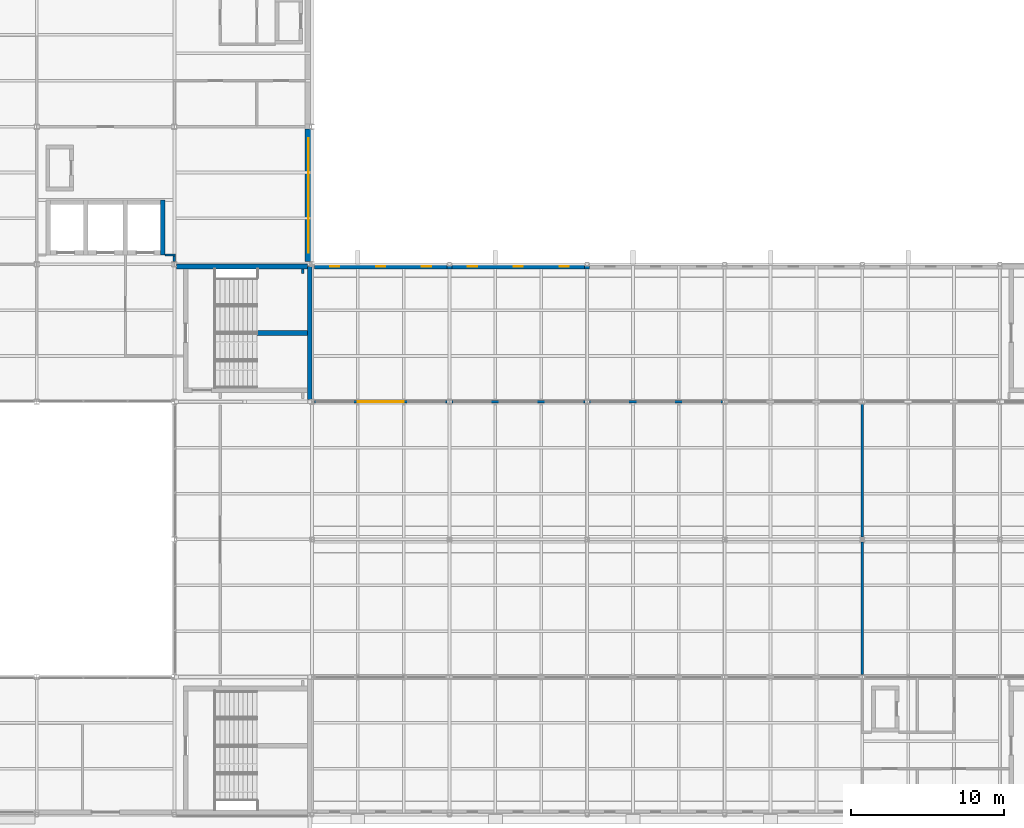
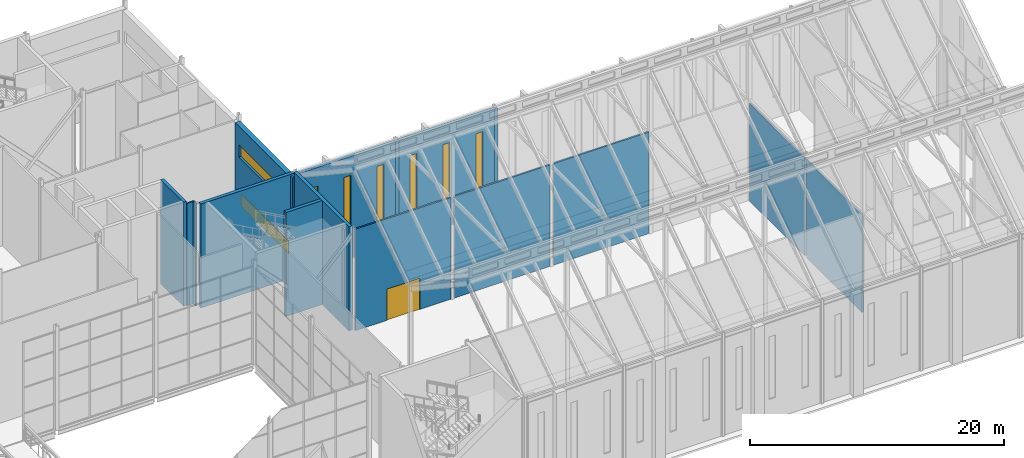
# One storey, part 92 of 111: 17 walls, 8 windows, 1 door, 9 openings.
"""IFC4 building model written with IfcOpenShell, lengths in metres."""

from ifc_helpers import new_model, si_unit, direction, frame, frame_2d, origin, place, context, subcontext, project, spatial, rectangle, extrude, material, layer, layer_set, type_object, element, fill, save


model = new_model("IFC4")

# Units and contexts
model_context = context("Model", 3, precision=1e-05, world=origin(), true_north=direction((0.0, 1.0)))
body_context = subcontext(model_context, "Body", "Model", "MODEL_VIEW")
ifc_project = project(units=[si_unit("LENGTHUNIT", "METRE"), si_unit("AREAUNIT", "SQUARE_METRE"), si_unit("VOLUMEUNIT", "CUBIC_METRE"), si_unit("PLANEANGLEUNIT", "RADIAN"), si_unit("MASSUNIT", "GRAM", prefix="KILO")], contexts=[model_context])

# Site, building, storey
site_placement = place(None, origin())
site = spatial("IfcSite", under=ifc_project, at=site_placement, CompositionType="ELEMENT")
building_placement = place(site_placement, origin())
building = spatial("IfcBuilding", under=site, at=building_placement, Name="Shorebreak Coast Museum", CompositionType="ELEMENT")
storey_placement = place(building_placement, frame((0.0, 0.0, 16.0)))
storey = spatial("IfcBuildingStorey", under=building, at=storey_placement, Name="L03", CompositionType="ELEMENT", Elevation=16.0)

# Walls
ifc_material_1 = material(Name="Concrete N50 (50 MPa)", Category="concrete")
ifc_layer_1 = layer(ifc_material_1, 0.175048828125)
ifc_layer_set_1 = layer_set([ifc_layer_1], Name="Concrete N50 (50 MPa)")
wall_type_1 = type_object("IfcWallType", Name="Column closure panel 175", PredefinedType="SOLIDWALL", material=ifc_layer_set_1)
for number, where, z_axis, x_axis, name in (
    (1, (125.839111328125, 89.78759765625, 0.0), (0.0, 0.0, 1.0), (1.0, 0.0, 0.0), "Column closure panel L03 N 15L"),
    (2, (134.839111328125, 89.78759765625, 0.0), (0.0, 0.0, 1.0), (1.0, 0.0, 0.0), "Column closure panel L03 N 16L"),
):
    element("IfcWall", number, at=place(storey_placement, frame(where, z_axis=z_axis, x_axis=x_axis)), inside=storey, type_object=wall_type_1, Name=name, PredefinedType="SOLIDWALL", context=body_context, shape_type="SweptSolid", body=[
        extrude(rectangle(XDim=0.32177734375, YDim=0.175048828125, at=frame_2d((0.160888671875, 0.0))), origin(), (0.0, 0.0, 1.0), 9.800048828125),
    ])

# Wall, openings, windows
ifc_material_2 = material(Name="Concrete N50 (50 MPa)", Category="concrete")
ifc_layer_2 = layer(ifc_material_2, 0.449951171875)
ifc_layer_set_2 = layer_set([ifc_layer_2], Name="Concrete N50 (50 MPa)")
wall_type_2 = type_object("IfcWallType", Name="Deep-set precast panel 450", PredefinedType="SOLIDWALL", material=ifc_layer_set_2)
wall_1_placement = place(storey_placement, frame((116.77490234375, 90.16357421875, 0.0), z_axis=(0.0, 0.0, 1.0), x_axis=(0.0, 1.0, 0.0)))
wall_1 = element("IfcWall", 3, at=wall_1_placement, inside=storey, type_object=wall_type_2, Name="External wall L03 E 14L", PredefinedType="SOLIDWALL", context=body_context, shape_type="SweptSolid", body=[
    extrude(rectangle(XDim=8.675537109375, YDim=0.449951171875, at=frame_2d((4.337890625, 0.0))), origin(), (0.0, 0.0, 1.0), 9.37109375),
])
opening_1_placement = place(wall_1_placement, frame((0.58642578125, 0.0, 6.39990234375)))
opening_1 = element("IfcOpeningElement", 4, at=opening_1_placement, cuts=wall_1, Name="Opening WN3002", PredefinedType="OPENING", context=body_context, shape_type="SweptSolid", body=[
    extrude(rectangle(XDim=7.5, YDim=1.199951171875, at=frame_2d((3.75, 0.60009765625))), frame((0.0, 0.23486328125, 0.0), z_axis=(0.0, -1.0, 0.0), x_axis=(1.0, 0.0, 0.0)), (0.0, 0.0, 1.0), 0.469970703125),
])
opening_2_placement = place(wall_1_placement, frame((0.58642578125, 0.0, 1.60009765625)))
opening_2 = element("IfcOpeningElement", 5, at=opening_2_placement, cuts=wall_1, Name="Opening WN3001", PredefinedType="OPENING", context=body_context, shape_type="SweptSolid", body=[
    extrude(rectangle(XDim=7.5, YDim=1.199951171875, at=frame_2d((3.75, 0.60009765625))), frame((0.0, 0.23486328125, 0.0), z_axis=(0.0, -1.0, 0.0), x_axis=(1.0, 0.0, 0.0)), (0.0, 0.0, 1.0), 0.469970703125),
])
ifc_material_3 = material(Name="Aluminium", Category="aluminium")
window_type_1 = type_object("IfcWindowType", Name="Ribbon window 7500 x 1200", PartitioningType="SINGLE_PANEL", PredefinedType="WINDOW", material=ifc_material_3)
window_1_placement = place(opening_2_placement, origin())
window_1 = element("IfcWindow", 6, at=window_1_placement, inside=storey, type_object=window_type_1, Name="Window WN3001", OverallHeight=1.199951171875, OverallWidth=7.5, PartitioningType="SINGLE_PANEL", PredefinedType="WINDOW", context=body_context, shape_type="SweptSolid", body=[
    extrude(rectangle(XDim=7.5, YDim=1.199951171875, at=frame_2d((3.75, 0.60009765625))), frame((0.0, 0.030029296875, 0.0), z_axis=(0.0, -1.0, 0.0), x_axis=(1.0, 0.0, 0.0)), (0.0, 0.0, 1.0), 0.06005859375),
])
fill(opening_2, window_1)
ifc_material_4 = material(Name="Aluminium", Category="aluminium")
window_type_2 = type_object("IfcWindowType", Name="Upper ribbon window 7500 x 1200", PartitioningType="SINGLE_PANEL", PredefinedType="WINDOW", material=ifc_material_4)
window_2_placement = place(opening_1_placement, origin())
window_2 = element("IfcWindow", 7, at=window_2_placement, inside=storey, type_object=window_type_2, Name="Window WN3002", OverallHeight=1.199951171875, OverallWidth=7.5, PartitioningType="SINGLE_PANEL", PredefinedType="WINDOW", context=body_context, shape_type="SweptSolid", body=[
    extrude(rectangle(XDim=7.5, YDim=1.199951171875, at=frame_2d((3.75, 0.60009765625))), frame((0.0, 0.030029296875, 0.0), z_axis=(0.0, -1.0, 0.0), x_axis=(1.0, 0.0, 0.0)), (0.0, 0.0, 1.0), 0.06005859375),
])
fill(opening_1, window_2)

# Wall, opening, door
ifc_material_5 = material(Name="Plasterboard on steel stud", Category="steel")
ifc_layer_3 = layer(ifc_material_5, 0.14990234375)
ifc_layer_set_3 = layer_set([ifc_layer_3], Name="Plasterboard on steel stud")
wall_type_3 = type_object("IfcWallType", Name="Fire partition 150", PredefinedType="PARTITIONING", material=ifc_layer_set_3)
wall_2_placement = place(storey_placement, frame((117.152587890625, 81.0, 0.0), z_axis=(0.0, 0.0, 1.0), x_axis=(1.0, 0.0, 0.0)))
wall_2 = element("IfcWall", 8, at=wall_2_placement, inside=storey, type_object=wall_type_3, Name="Partition L03-011", PredefinedType="PARTITIONING", context=body_context, shape_type="SweptSolid", body=[
    extrude(rectangle(XDim=8.69482421875, YDim=0.14990234375, at=frame_2d((4.347412109375, 0.0))), origin(), (0.0, 0.0, 1.0), 9.760009765625),
])
opening_3_placement = place(wall_2_placement, frame((2.85009765625, 0.0, 0.0)))
opening_3 = element("IfcOpeningElement", 9, at=opening_3_placement, cuts=wall_2, Name="Opening D3026", PredefinedType="OPENING", context=body_context, shape_type="SweptSolid", body=[
    extrude(rectangle(XDim=3.0, YDim=3.0, at=frame_2d((1.5, 1.5))), frame((0.0, 0.0849609375, 0.0), z_axis=(0.0, -1.0, 0.0), x_axis=(1.0, 0.0, 0.0)), (0.0, 0.0, 1.0), 0.169921875),
])
ifc_material_6 = material(Name="Steel", Category="steel")
door_type = type_object("IfcDoorType", Name="Fire door 3000x3000 60", OperationType="DOUBLE_DOOR_SINGLE_SWING", PredefinedType="DOOR", material=ifc_material_6)
door_placement = place(opening_3_placement, origin())
door = element("IfcDoor", 10, at=door_placement, inside=storey, type_object=door_type, Name="Door D3026 Top-lit Gallery 3.01", OperationType="DOUBLE_DOOR_SINGLE_SWING", OverallHeight=3.0, OverallWidth=3.0, PredefinedType="DOOR", context=body_context, shape_type="SweptSolid", body=[
    extrude(rectangle(XDim=3.0, YDim=3.0, at=frame_2d((1.5, 1.5))), frame((0.0, 0.02490234375, 0.0), z_axis=(0.0, -1.0, 0.0), x_axis=(1.0, 0.0, 0.0)), (0.0, 0.0, 1.0), 0.050048828125),
])
fill(opening_3, door)

# Walls
for number, where, z_axis, x_axis, name in (
    (11, (126.152587890625, 81.0, 0.0), (0.0, 0.0, 1.0), (1.0, 0.0, 0.0), "Partition L03-012"),
    (12, (135.152587890625, 81.0, 0.0), (0.0, 0.0, 1.0), (1.0, 0.0, 0.0), "Partition L03-013"),
):
    element("IfcWall", number, at=place(storey_placement, frame(where, z_axis=z_axis, x_axis=x_axis)), inside=storey, type_object=wall_type_3, Name=name, PredefinedType="PARTITIONING", context=body_context, shape_type="SweptSolid", body=[
        extrude(rectangle(XDim=8.69482421875, YDim=0.14990234375, at=frame_2d((4.347412109375, 0.0))), origin(), (0.0, 0.0, 1.0), 9.760009765625),
    ])
wall_3_placement = place(storey_placement, frame((107.39990234375, 90.60009765625, 0.0), z_axis=(0.0, 0.0, 1.0), x_axis=(1.0, 0.0, 0.0)))
element("IfcWall", 13, at=wall_3_placement, inside=storey, type_object=wall_type_3, Name="Partition L03-025", PredefinedType="PARTITIONING", context=body_context, shape_type="SweptSolid", body=[
    extrude(rectangle(XDim=0.675048828125, YDim=0.14990234375, at=frame_2d((0.33740234375, 0.0))), origin(), (0.0, 0.0, 1.0), 9.824951171875),
])
wall_4_placement = place(storey_placement, frame((108.0, 90.16357421875, 0.0), z_axis=(0.0, 0.0, 1.0), x_axis=(0.0, 1.0, 0.0)))
element("IfcWall", 14, at=wall_4_placement, inside=storey, type_object=wall_type_3, Name="Partition L03-066", PredefinedType="PARTITIONING", context=body_context, shape_type="SweptSolid", body=[
    extrude(rectangle(XDim=0.361328125, YDim=0.14990234375, at=frame_2d((0.1806640625, 0.0))), origin(), (0.0, 0.0, 1.0), 9.824951171875),
])
wall_5_placement = place(storey_placement, frame((116.39990234375, 89.39990234375, 0.0), z_axis=(0.0, 0.0, 1.0), x_axis=(0.0, 1.0, 0.0)))
element("IfcWall", 15, at=wall_5_placement, inside=storey, type_object=wall_type_3, Name="Partition L03-076", PredefinedType="PARTITIONING", context=body_context, shape_type="SweptSolid", body=[
    extrude(rectangle(XDim=0.300048828125, YDim=0.14990234375, at=frame_2d((0.14990234375, 0.0))), origin(), (0.0, 0.0, 1.0), 9.824951171875),
])
for number, where, z_axis, x_axis, name in (
    (16, (153.0, 63.154052734375, 0.0), (0.0, 0.0, 1.0), (0.0, 1.0, 0.0), "Partition L03-079"),
    (17, (153.0, 72.154052734375, 0.0), (0.0, 0.0, 1.0), (0.0, 1.0, 0.0), "Partition L03-080"),
):
    element("IfcWall", number, at=place(storey_placement, frame(where, z_axis=z_axis, x_axis=x_axis)), inside=storey, type_object=wall_type_3, Name=name, PredefinedType="PARTITIONING", context=body_context, shape_type="SweptSolid", body=[
        extrude(rectangle(XDim=8.69189453125, YDim=0.14990234375, at=frame_2d((4.345947265625, 0.0))), origin(), (0.0, 0.0, 1.0), 9.40771484375),
    ])

# Wall, openings, windows
ifc_material_7 = material(Name="Concrete N50 (50 MPa)", Category="concrete")
ifc_layer_4 = layer(ifc_material_7, 0.300048828125)
ifc_layer_set_4 = layer_set([ifc_layer_4], Name="Concrete N50 (50 MPa)")
wall_type_4 = type_object("IfcWallType", Name="Precast board-marked panel 300", PredefinedType="SOLIDWALL", material=ifc_layer_set_4)
wall_6_placement = place(storey_placement, frame((117.155517578125, 89.85009765625, 0.0), z_axis=(0.0, 0.0, 1.0), x_axis=(1.0, 0.0, 0.0)))
wall_6 = element("IfcWall", 18, at=wall_6_placement, inside=storey, type_object=wall_type_4, Name="External wall L03 N 14L", PredefinedType="SOLIDWALL", context=body_context, shape_type="SweptSolid", body=[
    extrude(rectangle(XDim=8.68359375, YDim=0.300048828125, at=frame_2d((4.341796875, 0.0))), origin(), (0.0, 0.0, 1.0), 9.800048828125),
])
opening_4_placement = place(wall_6_placement, frame((1.04443359375, 0.0, 2.0)))
opening_4 = element("IfcOpeningElement", 19, at=opening_4_placement, cuts=wall_6, Name="Opening WN3005", PredefinedType="OPENING", context=body_context, shape_type="SweptSolid", body=[
    extrude(rectangle(XDim=0.60009765625, YDim=6.0, at=frame_2d((0.300048828125, 3.0))), frame((0.0, 0.159912109375, 0.0), z_axis=(0.0, -1.0, 0.0), x_axis=(1.0, 0.0, 0.0)), (0.0, 0.0, 1.0), 0.320068359375),
])
opening_5_placement = place(wall_6_placement, frame((4.04443359375, 0.0, 2.0)))
opening_5 = element("IfcOpeningElement", 20, at=opening_5_placement, cuts=wall_6, Name="Opening WN3006", PredefinedType="OPENING", context=body_context, shape_type="SweptSolid", body=[
    extrude(rectangle(XDim=0.60009765625, YDim=6.0, at=frame_2d((0.300048828125, 3.0))), frame((0.0, 0.159912109375, 0.0), z_axis=(0.0, -1.0, 0.0), x_axis=(1.0, 0.0, 0.0)), (0.0, 0.0, 1.0), 0.320068359375),
])
opening_6_placement = place(wall_6_placement, frame((7.04443359375, 0.0, 2.0)))
opening_6 = element("IfcOpeningElement", 21, at=opening_6_placement, cuts=wall_6, Name="Opening WN3007", PredefinedType="OPENING", context=body_context, shape_type="SweptSolid", body=[
    extrude(rectangle(XDim=0.60009765625, YDim=6.0, at=frame_2d((0.300048828125, 3.0))), frame((0.0, 0.159912109375, 0.0), z_axis=(0.0, -1.0, 0.0), x_axis=(1.0, 0.0, 0.0)), (0.0, 0.0, 1.0), 0.320068359375),
])
ifc_material_8 = material(Name="Aluminium", Category="aluminium")
window_type_3 = type_object("IfcWindowType", Name="Hall slot window 600 x 6000", PartitioningType="SINGLE_PANEL", PredefinedType="WINDOW", material=ifc_material_8)
window_3_placement = place(opening_4_placement, origin())
window_3 = element("IfcWindow", 22, at=window_3_placement, inside=storey, type_object=window_type_3, Name="Window WN3005", OverallHeight=6.0, OverallWidth=0.60009765625, PartitioningType="SINGLE_PANEL", PredefinedType="WINDOW", context=body_context, shape_type="SweptSolid", body=[
    extrude(rectangle(XDim=0.60009765625, YDim=6.0, at=frame_2d((0.300048828125, 3.0))), frame((0.0, 0.030029296875, 0.0), z_axis=(0.0, -1.0, 0.0), x_axis=(1.0, 0.0, 0.0)), (0.0, 0.0, 1.0), 0.06005859375),
])
fill(opening_4, window_3)
window_4_placement = place(opening_5_placement, origin())
window_4 = element("IfcWindow", 23, at=window_4_placement, inside=storey, type_object=window_type_3, Name="Window WN3006", OverallHeight=6.0, OverallWidth=0.60009765625, PartitioningType="SINGLE_PANEL", PredefinedType="WINDOW", context=body_context, shape_type="SweptSolid", body=[
    extrude(rectangle(XDim=0.60009765625, YDim=6.0, at=frame_2d((0.300048828125, 3.0))), frame((0.0, 0.030029296875, 0.0), z_axis=(0.0, -1.0, 0.0), x_axis=(1.0, 0.0, 0.0)), (0.0, 0.0, 1.0), 0.06005859375),
])
fill(opening_5, window_4)
window_5_placement = place(opening_6_placement, origin())
window_5 = element("IfcWindow", 24, at=window_5_placement, inside=storey, type_object=window_type_3, Name="Window WN3007", OverallHeight=6.0, OverallWidth=0.60009765625, PartitioningType="SINGLE_PANEL", PredefinedType="WINDOW", context=body_context, shape_type="SweptSolid", body=[
    extrude(rectangle(XDim=0.60009765625, YDim=6.0, at=frame_2d((0.300048828125, 3.0))), frame((0.0, 0.030029296875, 0.0), z_axis=(0.0, -1.0, 0.0), x_axis=(1.0, 0.0, 0.0)), (0.0, 0.0, 1.0), 0.06005859375),
])
fill(opening_6, window_5)

wall_7_placement = place(storey_placement, frame((126.160888671875, 89.85009765625, 0.0), z_axis=(0.0, 0.0, 1.0), x_axis=(1.0, 0.0, 0.0)))
wall_7 = element("IfcWall", 25, at=wall_7_placement, inside=storey, type_object=wall_type_4, Name="External wall L03 N 15L", PredefinedType="SOLIDWALL", context=body_context, shape_type="SweptSolid", body=[
    extrude(rectangle(XDim=8.67822265625, YDim=0.300048828125, at=frame_2d((4.339111328125, 0.0))), origin(), (0.0, 0.0, 1.0), 9.800048828125),
])
opening_7_placement = place(wall_7_placement, frame((1.0390625, 0.0, 2.0)))
opening_7 = element("IfcOpeningElement", 26, at=opening_7_placement, cuts=wall_7, Name="Opening WN3008", PredefinedType="OPENING", context=body_context, shape_type="SweptSolid", body=[
    extrude(rectangle(XDim=0.60009765625, YDim=6.0, at=frame_2d((0.300048828125, 3.0))), frame((0.0, 0.159912109375, 0.0), z_axis=(0.0, -1.0, 0.0), x_axis=(1.0, 0.0, 0.0)), (0.0, 0.0, 1.0), 0.320068359375),
])
opening_8_placement = place(wall_7_placement, frame((4.0390625, 0.0, 2.0)))
opening_8 = element("IfcOpeningElement", 27, at=opening_8_placement, cuts=wall_7, Name="Opening WN3009", PredefinedType="OPENING", context=body_context, shape_type="SweptSolid", body=[
    extrude(rectangle(XDim=0.60009765625, YDim=6.0, at=frame_2d((0.300048828125, 3.0))), frame((0.0, 0.159912109375, 0.0), z_axis=(0.0, -1.0, 0.0), x_axis=(1.0, 0.0, 0.0)), (0.0, 0.0, 1.0), 0.320068359375),
])
opening_9_placement = place(wall_7_placement, frame((7.0390625, 0.0, 2.0)))
opening_9 = element("IfcOpeningElement", 28, at=opening_9_placement, cuts=wall_7, Name="Opening WN3010", PredefinedType="OPENING", context=body_context, shape_type="SweptSolid", body=[
    extrude(rectangle(XDim=0.60009765625, YDim=6.0, at=frame_2d((0.300048828125, 3.0))), frame((0.0, 0.159912109375, 0.0), z_axis=(0.0, -1.0, 0.0), x_axis=(1.0, 0.0, 0.0)), (0.0, 0.0, 1.0), 0.320068359375),
])
window_6_placement = place(opening_7_placement, origin())
window_6 = element("IfcWindow", 29, at=window_6_placement, inside=storey, type_object=window_type_3, Name="Window WN3008", OverallHeight=6.0, OverallWidth=0.60009765625, PartitioningType="SINGLE_PANEL", PredefinedType="WINDOW", context=body_context, shape_type="SweptSolid", body=[
    extrude(rectangle(XDim=0.60009765625, YDim=6.0, at=frame_2d((0.300048828125, 3.0))), frame((0.0, 0.030029296875, 0.0), z_axis=(0.0, -1.0, 0.0), x_axis=(1.0, 0.0, 0.0)), (0.0, 0.0, 1.0), 0.06005859375),
])
fill(opening_7, window_6)
window_7_placement = place(opening_8_placement, origin())
window_7 = element("IfcWindow", 30, at=window_7_placement, inside=storey, type_object=window_type_3, Name="Window WN3009", OverallHeight=6.0, OverallWidth=0.60009765625, PartitioningType="SINGLE_PANEL", PredefinedType="WINDOW", context=body_context, shape_type="SweptSolid", body=[
    extrude(rectangle(XDim=0.60009765625, YDim=6.0, at=frame_2d((0.300048828125, 3.0))), frame((0.0, 0.030029296875, 0.0), z_axis=(0.0, -1.0, 0.0), x_axis=(1.0, 0.0, 0.0)), (0.0, 0.0, 1.0), 0.06005859375),
])
fill(opening_8, window_7)
window_8_placement = place(opening_9_placement, origin())
window_8 = element("IfcWindow", 31, at=window_8_placement, inside=storey, type_object=window_type_3, Name="Window WN3010", OverallHeight=6.0, OverallWidth=0.60009765625, PartitioningType="SINGLE_PANEL", PredefinedType="WINDOW", context=body_context, shape_type="SweptSolid", body=[
    extrude(rectangle(XDim=0.60009765625, YDim=6.0, at=frame_2d((0.300048828125, 3.0))), frame((0.0, 0.030029296875, 0.0), z_axis=(0.0, -1.0, 0.0), x_axis=(1.0, 0.0, 0.0)), (0.0, 0.0, 1.0), 0.06005859375),
])
fill(opening_9, window_8)

# Walls
ifc_material_9 = material(Name="Concrete N50 (50 MPa)", Category="concrete")
ifc_layer_5 = layer(ifc_material_9, 0.300048828125)
ifc_layer_set_5 = layer_set([ifc_layer_5], Name="Concrete N50 (50 MPa)")
wall_type_5 = type_object("IfcWallType", Name="RC wall 300", PredefinedType="SHEAR", material=ifc_layer_set_5)
wall_8_placement = place(storey_placement, frame((108.155517578125, 89.85009765625, 0.0), z_axis=(0.0, 0.0, 1.0), x_axis=(1.0, 0.0, 0.0)))
element("IfcWall", 32, at=wall_8_placement, inside=storey, type_object=wall_type_5, Name="Stair core wall ST04 L03 N", PredefinedType="SHEAR", context=body_context, shape_type="SweptSolid", body=[
    extrude(rectangle(XDim=8.54443359375, YDim=0.300048828125, at=frame_2d((4.272216796875, 0.0))), origin(), (0.0, 0.0, 1.0), 10.0),
])
wall_9_placement = place(storey_placement, frame((116.85009765625, 81.154052734375, 0.0), z_axis=(0.0, 0.0, 1.0), x_axis=(0.0, 1.0, 0.0)))
element("IfcWall", 33, at=wall_9_placement, inside=storey, type_object=wall_type_5, Name="Stair core wall ST04 L03 E", PredefinedType="SHEAR", context=body_context, shape_type="SweptSolid", body=[
    extrude(rectangle(XDim=8.682373046875, YDim=0.300048828125, at=frame_2d((4.34130859375, 0.0))), origin(), (0.0, 0.0, 1.0), 10.0),
])
wall_10_placement = place(storey_placement, frame((113.39990234375, 85.5, 0.0), z_axis=(0.0, 0.0, 1.0), x_axis=(1.0, 0.0, 0.0)))
element("IfcWall", 34, at=wall_10_placement, inside=storey, type_object=wall_type_5, Name="Stair spine wall ST04 L03", PredefinedType="SHEAR", context=body_context, shape_type="SweptSolid", body=[
    extrude(rectangle(XDim=3.300048828125, YDim=0.300048828125, at=frame_2d((1.64990234375, 0.0))), origin(), (0.0, 0.0, 1.0), 10.0),
])
wall_11_placement = place(storey_placement, frame((107.25, 90.60009765625, 0.0), z_axis=(0.0, 0.0, 1.0), x_axis=(0.0, 1.0, 0.0)))
element("IfcWall", 35, at=wall_11_placement, inside=storey, type_object=wall_type_5, Name="Lift shaft wall LBE L03 4", PredefinedType="SHEAR", context=body_context, shape_type="SweptSolid", body=[
    extrude(rectangle(XDim=3.599853515625, YDim=0.300048828125, at=frame_2d((1.7998046875, 0.0))), origin(), (0.0, 0.0, 1.0), 10.0),
])

save(model, "model.ifc")
